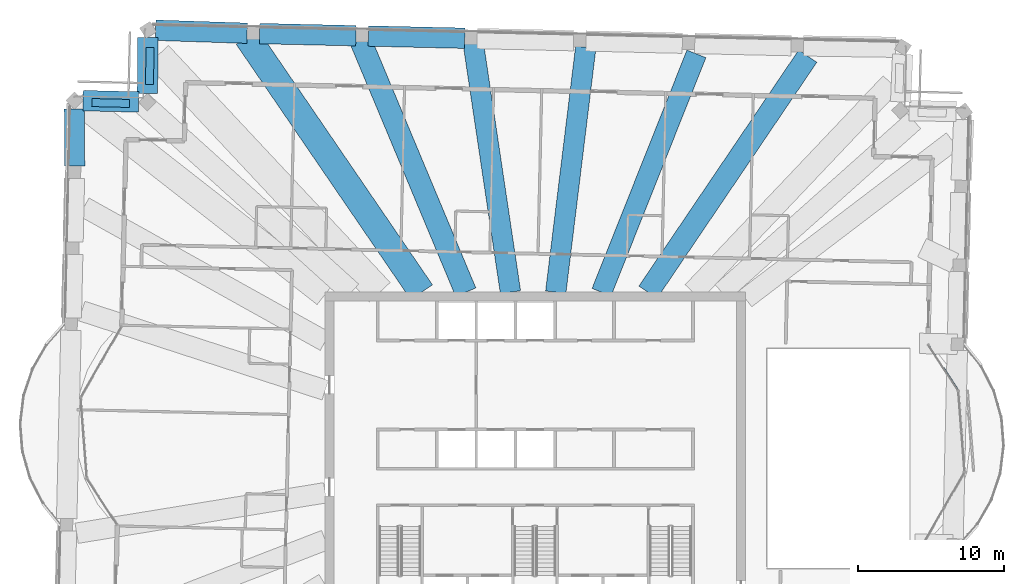
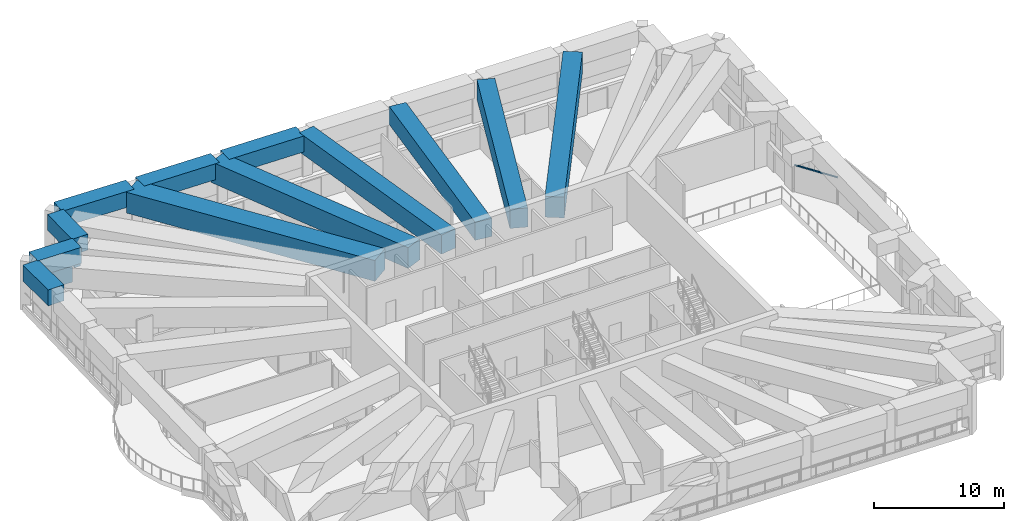
# One storey, part 6 of 21: 12 beams, 3 members, 1 element without a shape of its own.
"""IFC4 building model written with IfcOpenShell, lengths in metres."""

from ifc_helpers import new_model, si_unit, direction, frame, origin, origin_2d, place, context, subcontext, project, spatial, rectangle, extrude, material, material_profile, profile_set, type_object, element, aggregate, save


model = new_model("IFC4")

# Units and contexts
model_context = context("Model", 3, precision=1e-05, world=origin(), true_north=direction((0.0, 1.0)))
body_context = subcontext(model_context, "Body", "Model", "MODEL_VIEW")
ifc_project = project(units=[si_unit("LENGTHUNIT", "METRE"), si_unit("AREAUNIT", "SQUARE_METRE"), si_unit("VOLUMEUNIT", "CUBIC_METRE"), si_unit("PLANEANGLEUNIT", "RADIAN"), si_unit("MASSUNIT", "GRAM", prefix="KILO")], contexts=[model_context])

# Site, building, storey
site_placement = place(None, origin())
site = spatial("IfcSite", under=ifc_project, at=site_placement, CompositionType="ELEMENT")
building_placement = place(site_placement, origin())
building = spatial("IfcBuilding", under=site, at=building_placement, Name="Mangrove Gate Tower", CompositionType="ELEMENT")
storey_placement = place(building_placement, frame((0.0, 0.0, 329.699951171875)))
storey = spatial("IfcBuildingStorey", under=building, at=storey_placement, Name="L84", CompositionType="ELEMENT", Elevation=329.699951171875)

# Curtain wall, member
ifc_material_1 = material(Name="Aluminium and glass curtain wall", Category="aluminium")
curtain_wall_type = type_object("IfcCurtainWallType", Name="Crown garden glazing wall", PredefinedType="NOTDEFINED", material=ifc_material_1)
curtain_wall_placement = place(storey_placement, origin())
curtain_wall = element("IfcCurtainWall", 1, at=curtain_wall_placement, inside=storey, type_object=curtain_wall_type, Name="Crown garden glazing E1f3", PredefinedType="NOTDEFINED")
ifc_material_2 = material(Name="Aluminium alloy 6063-T6", Category="aluminium")
ifc_material_profile_1 = material_profile(ifc_material_2, rectangle(XDim=0.06005859375, YDim=0.110107421875, at=origin_2d()))
ifc_profile_set_1 = profile_set([ifc_material_profile_1], Name="Aluminium alloy 6063-T6")
member_type_1 = type_object("IfcMemberType", Name="Crown garden glazing transom 60x110", PredefinedType="USERDEFINED", material=ifc_profile_set_1)
member_1_placement = place(storey_placement, frame((28.94921875, 4.6796875, 2.52001953125), z_axis=(-0.546287930275, 0.837597455366, 0.0), x_axis=(0.0, 0.0, 1.0)))
member_1 = element("IfcMember", 2, at=member_1_placement, type_object=member_type_1, Name="CWC transom 1.2", ObjectType="TRANSOM", PredefinedType="USERDEFINED", context=body_context, shape_type="SweptSolid", body=[
    extrude(rectangle(XDim=0.06005859375, YDim=0.110107421875, at=origin_2d()), origin(), (0.0, 0.0, 1.0), 3.696044921875),
])
aggregate(curtain_wall, [member_1])

# Members
ifc_material_3 = material(Name="Planting on aluminium trellis", Category="aluminium")
ifc_material_profile_2 = material_profile(ifc_material_3, rectangle(XDim=0.550048828125, YDim=1.800048828125, at=origin_2d()))
ifc_profile_set_2 = profile_set([ifc_material_profile_2], Name="Planting on aluminium trellis")
member_type_2 = type_object("IfcMemberType", Name="Roof greenery screen 550x1800", PredefinedType="USERDEFINED", material=ifc_profile_set_2)
member_2_placement = place(storey_placement, frame((-30.39111328125, 24.39404296875, 1.699951171875), z_axis=(0.999739345612, -0.022830699409, 0.0), x_axis=(0.022830699409, 0.999739345612, 0.0)))
element("IfcMember", 3, at=member_2_placement, inside=storey, type_object=member_type_2, Name="GREEN SCREEN L84 T1.2.6", ObjectType="PLANTING", PredefinedType="USERDEFINED", context=body_context, shape_type="SweptSolid", body=[
    extrude(rectangle(XDim=0.550048828125, YDim=1.800048828125, at=origin_2d()), origin(), (0.0, 0.0, 1.0), 2.587890625),
])
member_3_placement = place(storey_placement, frame((-26.447998046875, 25.632080078125, 1.699951171875), z_axis=(0.022898430909, 0.999737796556, 0.0), x_axis=(-0.999737796556, 0.022898430909, 0.0)))
element("IfcMember", 4, at=member_3_placement, inside=storey, type_object=member_type_2, Name="GREEN SCREEN L84 T1.2.9", ObjectType="PLANTING", PredefinedType="USERDEFINED", context=body_context, shape_type="SweptSolid", body=[
    extrude(rectangle(XDim=0.550048828125, YDim=1.800048828125, at=origin_2d()), origin(), (0.0, 0.0, 1.0), 2.53759765625),
])

# Beams
ifc_material_4 = material(Name="Concrete C50/60", Category="concrete")
ifc_material_profile_3 = material_profile(ifc_material_4, rectangle(XDim=1.39990234375, YDim=1.5, at=origin_2d()))
ifc_profile_set_3 = profile_set([ifc_material_profile_3], Name="Concrete C50/60")
beam_type_1 = type_object("IfcBeamType", Name="Transfer girder RC 1400x1500 C50/60", PredefinedType="BEAM", material=ifc_profile_set_3)
for number, where, z_axis, x_axis, name in (
    (5, (-4.838623046875, 28.8056640625, 3.300048828125), (-0.999742579014, 0.022688669137, 0.0), (-0.022688669137, -0.999742579014, 0.0), "Transfer ring girder L84 27"),
    (6, (-12.29345703125, 28.974853515625, 3.300048828125), (-0.999743416513, 0.022651735883, 0.0), (-0.022651735883, -0.999743416513, 0.0), "Transfer ring girder L84 28"),
):
    element("IfcBeam", number, at=place(storey_placement, frame(where, z_axis=z_axis, x_axis=x_axis)), inside=storey, type_object=beam_type_1, Name=name, PredefinedType="BEAM", context=body_context, shape_type="SweptSolid", body=[
        extrude(rectangle(XDim=1.39990234375, YDim=1.5, at=origin_2d()), origin(), (0.0, 0.0, 1.0), 6.60693359375),
    ])
beam_1_placement = place(storey_placement, frame((-19.74853515625, 29.14794921875, 3.300048828125), z_axis=(-0.999468002837, 0.032614587312, 0.0), x_axis=(-0.032614587312, -0.999468002837, 0.0)))
element("IfcBeam", 7, at=beam_1_placement, inside=storey, type_object=beam_type_1, Name="Transfer ring girder L84 29", PredefinedType="BEAM", context=body_context, shape_type="SweptSolid", body=[
    extrude(rectangle(XDim=1.39990234375, YDim=1.5, at=origin_2d()), origin(), (0.0, 0.0, 1.0), 6.280517578125),
])
beam_2_placement = place(storey_placement, frame((-26.54541015625, 28.8623046875, 3.300048828125), z_axis=(-0.009901761604, -0.999950976357, 0.0), x_axis=(0.999950976357, -0.009901761604, 0.0)))
element("IfcBeam", 8, at=beam_2_placement, inside=storey, type_object=beam_type_1, Name="Transfer ring girder L84 30", PredefinedType="BEAM", context=body_context, shape_type="SweptSolid", body=[
    extrude(rectangle(XDim=1.39990234375, YDim=1.5, at=origin_2d()), origin(), (0.0, 0.0, 1.0), 3.846435546875),
])
beam_3_placement = place(storey_placement, frame((-27.189697265625, 24.43701171875, 3.300048828125), z_axis=(-0.999715144974, 0.02386689988, 0.0), x_axis=(-0.02386689988, -0.999715144974, 0.0)))
element("IfcBeam", 9, at=beam_3_placement, inside=storey, type_object=beam_type_1, Name="Transfer ring girder L84 31", PredefinedType="BEAM", context=body_context, shape_type="SweptSolid", body=[
    extrude(rectangle(XDim=1.39990234375, YDim=1.5, at=origin_2d()), origin(), (0.0, 0.0, 1.0), 3.80517578125),
])
beam_4_placement = place(storey_placement, frame((-31.581298828125, 23.94287109375, 3.300048828125), z_axis=(0.001442999941, -0.999998958875, 0.0), x_axis=(0.999998958875, 0.001442999941, 0.0)))
element("IfcBeam", 10, at=beam_4_placement, inside=storey, type_object=beam_type_1, Name="Transfer ring girder L84 32", PredefinedType="BEAM", context=body_context, shape_type="SweptSolid", body=[
    extrude(rectangle(XDim=1.39990234375, YDim=1.5, at=origin_2d()), origin(), (0.0, 0.0, 1.0), 3.891357421875),
])
ifc_material_5 = material(Name="Concrete C50/60", Category="concrete")
ifc_material_profile_4 = material_profile(ifc_material_5, rectangle(XDim=1.39990234375, YDim=1.699951171875, at=origin_2d()))
ifc_profile_set_4 = profile_set([ifc_material_profile_4], Name="Concrete C50/60")
beam_type_2 = type_object("IfcBeamType", Name="Transfer girder RC 1400x1700 C50/60", PredefinedType="BEAM", material=ifc_profile_set_4)
beam_5_placement = place(storey_placement, frame((1.3974609375, 11.39990234375, 3.199951171875), z_axis=(0.121684632983, 0.992568813784, 0.0), x_axis=(-0.992568813784, 0.121684632983, 0.0)))
element("IfcBeam", 11, at=beam_5_placement, inside=storey, type_object=beam_type_2, Name="Transfer girder L84 23", PredefinedType="BEAM", context=body_context, shape_type="SweptSolid", body=[
    extrude(rectangle(XDim=1.39990234375, YDim=1.699951171875, at=origin_2d()), origin(), (0.0, 0.0, 1.0), 16.905517578125),
])
ifc_material_6 = material(Name="Concrete C50/60", Category="concrete")
ifc_material_profile_5 = material_profile(ifc_material_6, rectangle(XDim=1.39990234375, YDim=1.800048828125, at=origin_2d()))
ifc_profile_set_5 = profile_set([ifc_material_profile_5], Name="Concrete C50/60")
beam_type_3 = type_object("IfcBeamType", Name="Transfer girder RC 1400x1800 C50/60", PredefinedType="BEAM", material=ifc_profile_set_5)
beam_6_placement = place(storey_placement, frame((4.537841796875, 11.39990234375, 3.150146484375), z_axis=(0.369831311935, 0.929098918691, 0.0), x_axis=(-0.929098918691, 0.369831311935, 0.0)))
element("IfcBeam", 12, at=beam_6_placement, inside=storey, type_object=beam_type_3, Name="Transfer girder L84 22", PredefinedType="BEAM", context=body_context, shape_type="SweptSolid", body=[
    extrude(rectangle(XDim=1.39990234375, YDim=1.800048828125, at=origin_2d()), origin(), (0.0, 0.0, 1.0), 17.578857421875),
])
beam_7_placement = place(storey_placement, frame((-1.7041015625, 11.39990234375, 3.150146484375), z_axis=(-0.147855081081, 0.989009036864, 0.0), x_axis=(-0.989009036864, -0.147855081081, 0.0)))
element("IfcBeam", 13, at=beam_7_placement, inside=storey, type_object=beam_type_3, Name="Transfer girder L84 24", PredefinedType="BEAM", context=body_context, shape_type="SweptSolid", body=[
    extrude(rectangle(XDim=1.39990234375, YDim=1.800048828125, at=origin_2d()), origin(), (0.0, 0.0, 1.0), 17.587158203125),
])
ifc_material_7 = material(Name="Concrete C50/60", Category="concrete")
ifc_material_profile_6 = material_profile(ifc_material_7, rectangle(XDim=1.5, YDim=1.949951171875, at=origin_2d()))
ifc_profile_set_6 = profile_set([ifc_material_profile_6], Name="Concrete C50/60")
beam_type_4 = type_object("IfcBeamType", Name="Transfer girder RC 1500x1950 C50/60", PredefinedType="BEAM", material=ifc_profile_set_6)
beam_8_placement = place(storey_placement, frame((7.717529296875, 11.39990234375, 3.074951171875), z_axis=(0.560593311992, 0.828091262211, 0.0), x_axis=(-0.828091262211, 0.560593311992, 0.0)))
element("IfcBeam", 14, at=beam_8_placement, inside=storey, type_object=beam_type_4, Name="Transfer girder L84 21", PredefinedType="BEAM", context=body_context, shape_type="SweptSolid", body=[
    extrude(rectangle(XDim=1.5, YDim=1.949951171875, at=origin_2d()), origin(), (0.0, 0.0, 1.0), 19.533203125),
])
beam_9_placement = place(storey_placement, frame((-4.767822265625, 11.39990234375, 3.074951171875), z_axis=(-0.385832911246, 0.922568677443, 0.0), x_axis=(-0.922568677443, -0.385832911246, 0.0)))
element("IfcBeam", 15, at=beam_9_placement, inside=storey, type_object=beam_type_4, Name="Transfer girder L84 25", PredefinedType="BEAM", context=body_context, shape_type="SweptSolid", body=[
    extrude(rectangle(XDim=1.5, YDim=1.949951171875, at=origin_2d()), origin(), (0.0, 0.0, 1.0), 19.04541015625),
])
ifc_material_8 = material(Name="Concrete C50/60", Category="concrete")
ifc_material_profile_7 = material_profile(ifc_material_8, rectangle(XDim=1.800048828125, YDim=1.949951171875, at=origin_2d()))
ifc_profile_set_7 = profile_set([ifc_material_profile_7], Name="Concrete C50/60")
beam_type_5 = type_object("IfcBeamType", Name="Transfer girder RC 1800x1950 C50/60", PredefinedType="BEAM", material=ifc_profile_set_7)
beam_10_placement = place(storey_placement, frame((-7.794189453125, 11.39990234375, 3.074951171875), z_axis=(-0.564392235997, 0.825506755846, 0.0), x_axis=(-0.825506755846, -0.564392235997, 0.0)))
element("IfcBeam", 16, at=beam_10_placement, inside=storey, type_object=beam_type_5, Name="Transfer girder L84 26", PredefinedType="BEAM", context=body_context, shape_type="SweptSolid", body=[
    extrude(rectangle(XDim=1.800048828125, YDim=1.949951171875, at=origin_2d()), origin(), (0.0, 0.0, 1.0), 21.18701171875),
])

save(model, "model.ifc")
